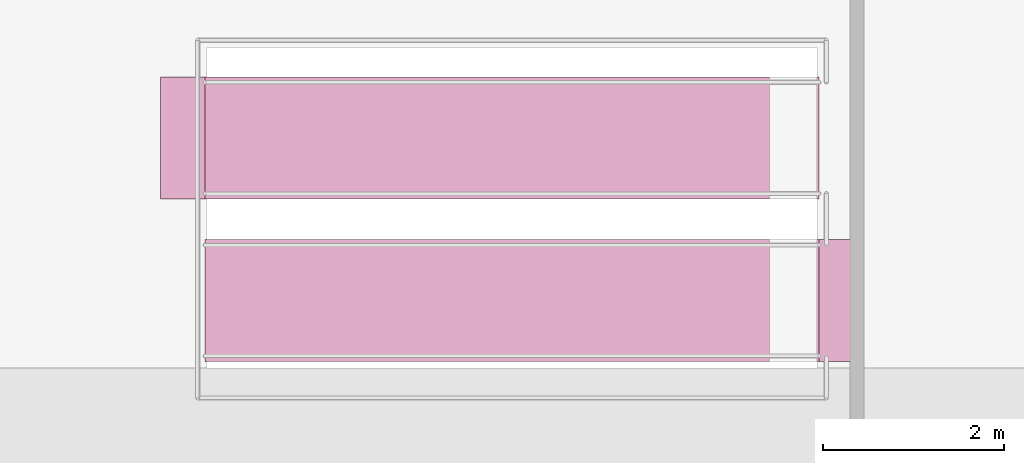
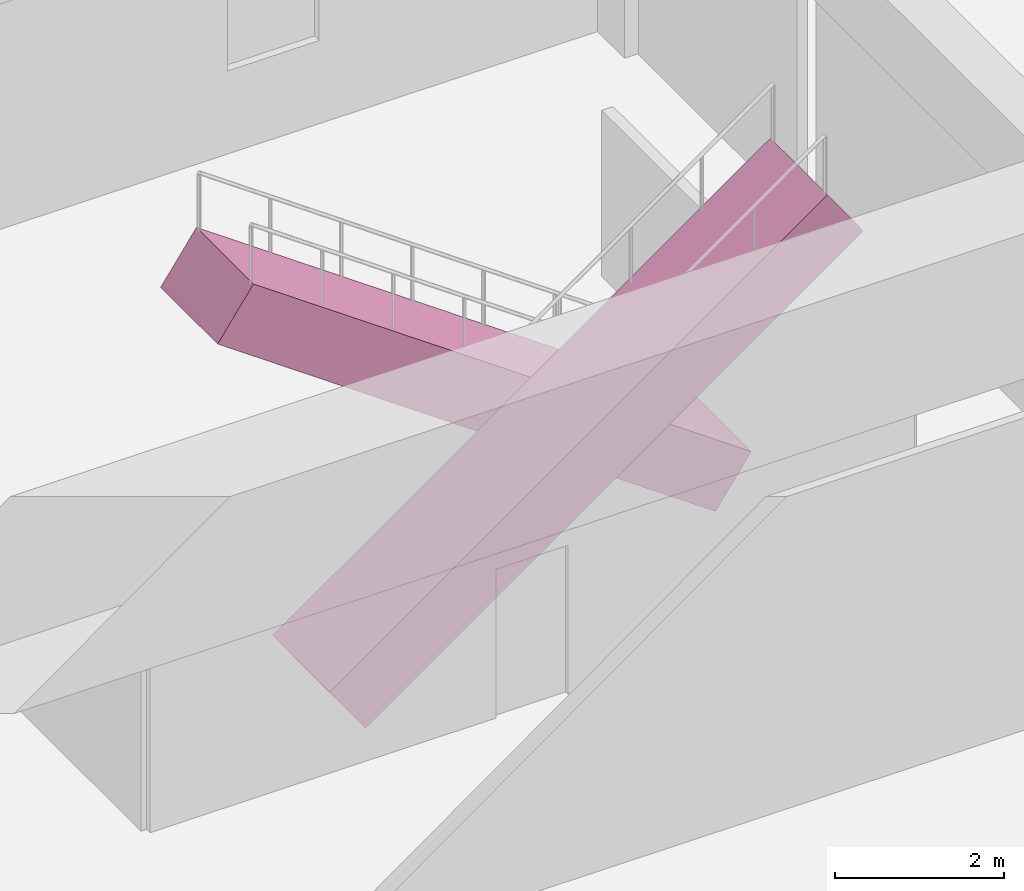
# One storey, part 28 of 28: 2 transport elements.
"""IFC4 building model written with IfcOpenShell, lengths in metres."""

from ifc_helpers import new_model, si_unit, direction, frame, origin, place, context, subcontext, project, spatial, polyline, outline, extrude, material, layer, layer_set, type_object, element, save


model = new_model("IFC4")

# Units and contexts
model_context = context("Model", 3, precision=1e-05, world=origin(), true_north=direction((0.0, 1.0)))
body_context = subcontext(model_context, "Body", "Model", "MODEL_VIEW")
ifc_project = project(units=[si_unit("LENGTHUNIT", "METRE"), si_unit("AREAUNIT", "SQUARE_METRE"), si_unit("VOLUMEUNIT", "CUBIC_METRE"), si_unit("PLANEANGLEUNIT", "RADIAN"), si_unit("MASSUNIT", "GRAM", prefix="KILO")], contexts=[model_context])

# Site, building, storey
site_placement = place(None, origin())
site = spatial("IfcSite", under=ifc_project, at=site_placement, CompositionType="ELEMENT")
building_placement = place(site_placement, origin())
building = spatial("IfcBuilding", under=site, at=building_placement, Name="Cendralis Terraced Arcade", CompositionType="ELEMENT")
storey_placement = place(building_placement, frame((0.0, 0.0, 24.60009765625)))
storey = spatial("IfcBuildingStorey", under=building, at=storey_placement, Name="L05", CompositionType="ELEMENT", Elevation=24.60009765625)

# Transport elements
ifc_material = material(Name="Brushed stainless steel and laminated glass escalator", Category="steel")
ifc_layer = layer(ifc_material, 0.949951171875, Name="ESC-ATR-1000")
ifc_layer_set = layer_set([ifc_layer], Name="Brushed stainless steel and laminated glass escalator")
transport_element_type = type_object("IfcTransportElementType", Name="ESC-ATR-1000", PredefinedType="ESCALATOR", material=ifc_layer_set)
transport_element_1_placement = place(storey_placement, frame((38.0, 39.125, 0.099853515625), z_axis=(-0.576684349177, 0.0, 0.816967050385), x_axis=(0.816967050385, 0.0, 0.576684349177)))
element("IfcTransportElement", 1, at=transport_element_1_placement, inside=storey, type_object=transport_element_type, Name="Atrium Retail Escalator ESC-11 (L05 to L06)", PredefinedType="ESCALATOR", context=body_context, shape_type="SweptSolid", body=[
    extrude(outline(polyline([(0.0, 0.0), (8.323528868050401, 0.0), (8.323528868050401, 1.35009765625), (0.0, 1.35009765625), (0.0, 0.0)])), origin(), (0.0, 0.0, -1.0), 0.85009765625),
])
transport_element_2_placement = place(storey_placement, frame((44.800048828125, 40.925048828125, 0.099853515625), z_axis=(0.576684349177, 0.0, 0.816967050385), x_axis=(-0.816967050385, 0.0, 0.576684349177)))
element("IfcTransportElement", 2, at=transport_element_2_placement, inside=storey, type_object=transport_element_type, Name="Atrium Retail Escalator ESC-12 (L05 to L06)", PredefinedType="ESCALATOR", context=body_context, shape_type="SweptSolid", body=[
    extrude(outline(polyline([(0.0, 0.0), (8.323528868050401, 0.0), (8.323528868050401, -1.3498535156250002), (0.0, -1.3498535156250002), (0.0, 0.0)])), origin(), (0.0, 0.0, -1.0), 0.85009765625),
])

save(model, "model.ifc")
